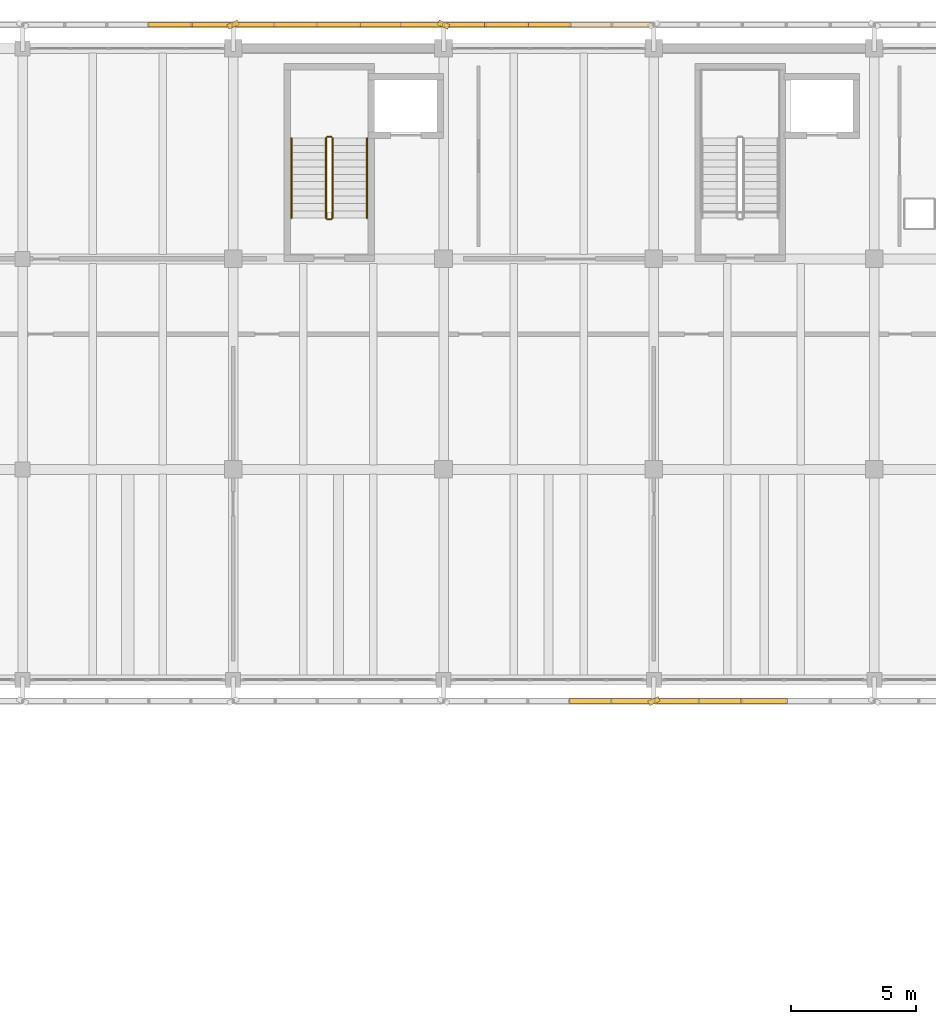
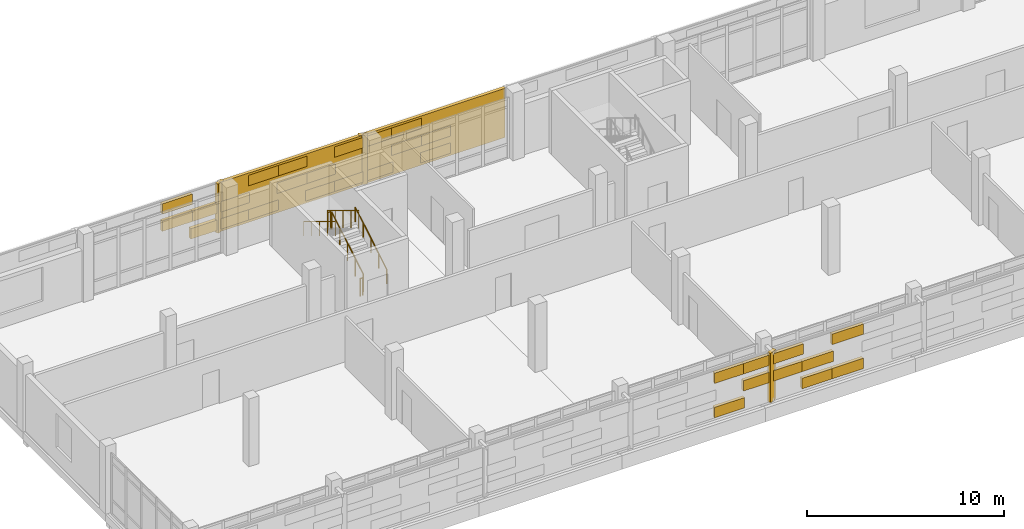
# One storey, part 131 of 137: 33 coverings, 6 railings, 2 shading devices.
"""IFC4 building model written with IfcOpenShell, lengths in metres."""

from ifc_helpers import new_model, si_unit, direction, frame, origin, origin_2d, place, context, subcontext, project, spatial, rectangle, circle, extrude, material, layer, layer_set, type_object, element, save


model = new_model("IFC4")

# Units and contexts
model_context = context("Model", 3, precision=1e-05, world=origin(), true_north=direction((0.0, 1.0)))
body_context = subcontext(model_context, "Body", "Model", "MODEL_VIEW")
ifc_project = project(units=[si_unit("LENGTHUNIT", "METRE"), si_unit("AREAUNIT", "SQUARE_METRE"), si_unit("VOLUMEUNIT", "CUBIC_METRE"), si_unit("PLANEANGLEUNIT", "RADIAN"), si_unit("MASSUNIT", "GRAM", prefix="KILO")], contexts=[model_context])

# Site, building, storey
site_placement = place(None, origin())
site = spatial("IfcSite", under=ifc_project, at=site_placement, CompositionType="ELEMENT")
building_placement = place(site_placement, origin())
building = spatial("IfcBuilding", under=site, at=building_placement, Name="Cinderway Yard Community Centre", CompositionType="ELEMENT")
storey_placement = place(building_placement, frame((0.0, 0.0, 4.800048828125)))
storey = spatial("IfcBuildingStorey", under=building, at=storey_placement, Name="L01", CompositionType="ELEMENT", Elevation=4.800048828125)

# Coverings
ifc_material_1 = material(Name="Brick Masonry", Category="masonry")
ifc_layer = layer(ifc_material_1, 0.18994140625, Name="Brick Masonry")
ifc_layer_set = layer_set([ifc_layer], Name="Brick Masonry")
covering_type = type_object("IfcCoveringType", Name="ENV-COV-BRK-SCREEN", PredefinedType="CLADDING", material=ifc_layer_set)
for number, where, z_axis, x_axis, name in (
    (1, (58.39990234375, 116.14990234375, 0.64990234375), (0.0, 0.0, 1.0), (0.913545457643, 0.406736643076, 0.0), "Deconstructivist folded brick fin 0003"),
    (2, (66.800048828125, 116.14990234375, 0.64990234375), (0.0, 0.0, 1.0), (0.913545457643, -0.406736643076, 0.0), "Deconstructivist folded brick fin 0004"),
):
    element("IfcCovering", number, at=place(storey_placement, frame(where, z_axis=z_axis, x_axis=x_axis)), inside=storey, type_object=covering_type, Name=name, PredefinedType="CLADDING", context=body_context, shape_type="SweptSolid", body=[
        extrude(rectangle(XDim=0.4599609375, YDim=0.199951171875, at=origin_2d()), origin(), (0.0, 0.0, 1.0), 3.050048828125),
    ])
for number, where, z_axis, x_axis, name in (
    (3, (57.56005859375, 116.14990234375, 0.7900390625), (0.0, 0.0, 1.0), (1.0, 0.0, 0.0), "Open-bond perforated brick screen course 00026"),
    (4, (55.8798828125, 116.14990234375, 1.85205078125), (0.0, 0.0, 1.0), (1.0, 0.0, 0.0), "Open-bond perforated brick screen course 00029"),
    (5, (57.56005859375, 116.14990234375, 1.85205078125), (0.0, 0.0, 1.0), (1.0, 0.0, 0.0), "Open-bond perforated brick screen course 00030"),
    (6, (55.8798828125, 116.14990234375, 2.9140625), (0.0, 0.0, 1.0), (1.0, 0.0, 0.0), "Open-bond perforated brick screen course 00033"),
    (7, (59.239990234375, 116.14990234375, 0.7900390625), (0.0, 0.0, 1.0), (1.0, 0.0, 0.0), "Open-bond perforated brick screen course 00034"),
    (8, (60.919921875, 116.14990234375, 0.7900390625), (0.0, 0.0, 1.0), (1.0, 0.0, 0.0), "Open-bond perforated brick screen course 00035"),
    (9, (64.280029296875, 116.14990234375, 0.7900390625), (0.0, 0.0, 1.0), (1.0, 0.0, 0.0), "Open-bond perforated brick screen course 00036"),
    (10, (65.9599609375, 116.14990234375, 0.7900390625), (0.0, 0.0, 1.0), (1.0, 0.0, 0.0), "Open-bond perforated brick screen course 00037"),
    (11, (59.239990234375, 116.14990234375, 1.85205078125), (0.0, 0.0, 1.0), (1.0, 0.0, 0.0), "Open-bond perforated brick screen course 00038"),
    (12, (62.60009765625, 116.14990234375, 1.85205078125), (0.0, 0.0, 1.0), (1.0, 0.0, 0.0), "Open-bond perforated brick screen course 00039"),
    (13, (64.280029296875, 116.14990234375, 1.85205078125), (0.0, 0.0, 1.0), (1.0, 0.0, 0.0), "Open-bond perforated brick screen course 00040"),
    (14, (60.919921875, 116.14990234375, 2.9140625), (0.0, 0.0, 1.0), (1.0, 0.0, 0.0), "Open-bond perforated brick screen course 00041"),
    (15, (62.60009765625, 116.14990234375, 2.9140625), (0.0, 0.0, 1.0), (1.0, 0.0, 0.0), "Open-bond perforated brick screen course 00042"),
    (16, (65.9599609375, 116.14990234375, 2.9140625), (0.0, 0.0, 1.0), (1.0, 0.0, 0.0), "Open-bond perforated brick screen course 00043"),
    (17, (67.639892578125, 116.14990234375, 0.7900390625), (0.0, 0.0, 1.0), (1.0, 0.0, 0.0), "Open-bond perforated brick screen course 00044"),
    (18, (71.0, 116.14990234375, 0.7900390625), (0.0, 0.0, 1.0), (1.0, 0.0, 0.0), "Open-bond perforated brick screen course 00045"),
    (19, (69.320068359375, 116.14990234375, 1.85205078125), (0.0, 0.0, 1.0), (1.0, 0.0, 0.0), "Open-bond perforated brick screen course 00047"),
    (20, (71.0, 116.14990234375, 1.85205078125), (0.0, 0.0, 1.0), (1.0, 0.0, 0.0), "Open-bond perforated brick screen course 00048"),
    (21, (67.639892578125, 116.14990234375, 2.9140625), (0.0, 0.0, 1.0), (1.0, 0.0, 0.0), "Open-bond perforated brick screen course 00050"),
    (22, (69.320068359375, 116.14990234375, 2.9140625), (0.0, 0.0, 1.0), (1.0, 0.0, 0.0), "Open-bond perforated brick screen course 00051"),
):
    element("IfcCovering", number, at=place(storey_placement, frame(where, z_axis=z_axis, x_axis=x_axis)), inside=storey, type_object=covering_type, Name=name, PredefinedType="CLADDING", context=body_context, shape_type="SweptSolid", body=[
        extrude(rectangle(XDim=1.760009765625, YDim=0.18994140625, at=origin_2d()), origin(), (0.0, 0.0, 1.0), 0.64599609375),
    ])
covering_placement = place(storey_placement, frame((75.199951171875, 89.14990234375, 0.64990234375), z_axis=(0.0, 0.0, 1.0), x_axis=(-0.913545457643, -0.406736643076, 0.0)))
element("IfcCovering", 23, at=covering_placement, inside=storey, type_object=covering_type, Name="Deconstructivist folded brick fin 0438", PredefinedType="CLADDING", context=body_context, shape_type="SweptSolid", body=[
    extrude(rectangle(XDim=0.4599609375, YDim=0.199951171875, at=origin_2d()), origin(), (0.0, 0.0, 1.0), 3.050048828125),
])
for number, where, z_axis, x_axis, name in (
    (24, (72.679931640625, 89.14990234375, 0.7900390625), (0.0, 0.0, 1.0), (-1.0, 0.0, 0.0), "Open-bond perforated brick screen course 00479"),
    (25, (74.360107421875, 89.14990234375, 1.85205078125), (0.0, 0.0, 1.0), (-1.0, 0.0, 0.0), "Open-bond perforated brick screen course 00482"),
    (26, (72.679931640625, 89.14990234375, 2.9140625), (0.0, 0.0, 1.0), (-1.0, 0.0, 0.0), "Open-bond perforated brick screen course 00485"),
    (27, (74.360107421875, 89.14990234375, 2.9140625), (0.0, 0.0, 1.0), (-1.0, 0.0, 0.0), "Open-bond perforated brick screen course 00486"),
):
    element("IfcCovering", number, at=place(storey_placement, frame(where, z_axis=z_axis, x_axis=x_axis)), inside=storey, type_object=covering_type, Name=name, PredefinedType="CLADDING", context=body_context, shape_type="SweptSolid", body=[
        extrude(rectangle(XDim=1.760009765625, YDim=0.18994140625, at=origin_2d()), origin(), (0.0, 0.0, 1.0), 0.64599609375),
    ])
for number, where, z_axis, x_axis, name in (
    (28, (77.840087890625, 89.14990234375, 0.7900390625), (0.0, 0.0, 1.0), (-1.0, 0.0, 0.0), "Open-bond perforated brick screen course 00487"),
    (29, (79.60009765625, 89.14990234375, 0.7900390625), (0.0, 0.0, 1.0), (-1.0, 0.0, 0.0), "Open-bond perforated brick screen course 00488"),
    (30, (76.080078125, 89.14990234375, 1.85205078125), (0.0, 0.0, 1.0), (-1.0, 0.0, 0.0), "Open-bond perforated brick screen course 00490"),
    (31, (77.840087890625, 89.14990234375, 1.85205078125), (0.0, 0.0, 1.0), (-1.0, 0.0, 0.0), "Open-bond perforated brick screen course 00491"),
    (32, (76.080078125, 89.14990234375, 2.9140625), (0.0, 0.0, 1.0), (-1.0, 0.0, 0.0), "Open-bond perforated brick screen course 00494"),
    (33, (79.60009765625, 89.14990234375, 2.9140625), (0.0, 0.0, 1.0), (-1.0, 0.0, 0.0), "Open-bond perforated brick screen course 00495"),
):
    element("IfcCovering", number, at=place(storey_placement, frame(where, z_axis=z_axis, x_axis=x_axis)), inside=storey, type_object=covering_type, Name=name, PredefinedType="CLADDING", context=body_context, shape_type="SweptSolid", body=[
        extrude(rectangle(XDim=1.840087890625, YDim=0.18994140625, at=origin_2d()), origin(), (0.0, 0.0, 1.0), 0.64599609375),
    ])

# Shading devices
shading_device_type = type_object("IfcShadingDeviceType", Name="ENV-SHD-BRICKSCREEN-A", PredefinedType="USERDEFINED", material=ifc_material_1)
for number, where, z_axis, x_axis, name in (
    (34, (62.60009765625, 116.14990234375, 0.64990234375), (0.0, 0.0, 1.0), (1.0, 0.0, 0.0), "Street Perforated Brick Screen 0025"),
    (35, (71.0, 116.14990234375, 0.64990234375), (0.0, 0.0, 1.0), (1.0, 0.0, 0.0), "Street Perforated Brick Screen 0033"),
):
    element("IfcShadingDevice", number, at=place(storey_placement, frame(where, z_axis=z_axis, x_axis=x_axis)), inside=storey, type_object=shading_device_type, Name=name, ObjectType="PERFORATED BRICK SCREEN", PredefinedType="USERDEFINED", context=body_context, shape_type="SweptSolid", body=[
        extrude(rectangle(XDim=8.199951171875, YDim=0.18994140625, at=origin_2d()), origin(), (0.0, 0.0, 1.0), 3.050048828125),
    ])

# Railings
ifc_material_2 = material(Name="Painted Galvanised Steel", Category="steel")
railing_type_1 = type_object("IfcRailingType", Name="INT-RAL-GRD112", PredefinedType="GUARDRAIL", material=ifc_material_2)
railing_1_placement = place(storey_placement, frame((62.3701171875, 108.429931640625, 0.175048828125)))
element("IfcRailing", 36, at=railing_1_placement, inside=storey, type_object=railing_type_1, Name="L01 ST-01 stair guard 1", PredefinedType="GUARDRAIL", context=body_context, shape_type="SweptSolid", body=[
    extrude(circle(Radius=0.02392578125, at=origin_2d()), frame((0.0, 0.0, 1.076171875), z_axis=(0.0, 0.856224141417, 0.516604509905), x_axis=(-1.0, 0.0, 0.0)), (0.0, 0.0, 1.0), 3.725830078125),
    extrude(circle(Radius=0.02099609375, at=origin_2d()), origin(), (0.0, 0.0, 1.0), 1.052001953125),
    extrude(circle(Radius=0.02099609375, at=origin_2d()), frame((0.0, 0.797607421875, 0.481201171875)), (0.0, 0.0, 1.0), 1.052001953125),
    extrude(circle(Radius=0.02099609375, at=origin_2d()), frame((0.0, 1.59521484375, 0.96240234375)), (0.0, 0.0, 1.0), 1.052001953125),
    extrude(circle(Radius=0.02099609375, at=origin_2d()), frame((0.0, 2.392578125, 1.443603515625)), (0.0, 0.0, 1.0), 1.052001953125),
    extrude(circle(Radius=0.02099609375, at=origin_2d()), frame((0.0, 3.190185546875, 1.9248046875)), (0.0, 0.0, 1.0), 1.052001953125),
])
railing_2_placement = place(storey_placement, frame((62.320068359375, 111.669921875, 2.099853515625)))
element("IfcRailing", 37, at=railing_2_placement, inside=storey, type_object=railing_type_1, Name="L01 ST-01 stair guard 2", PredefinedType="GUARDRAIL", context=body_context, shape_type="SweptSolid", body=[
    extrude(circle(Radius=0.02392578125, at=origin_2d()), frame((0.0, 0.0, 1.076171875), z_axis=(-1.0, 0.0, 0.0), x_axis=(0.0, -1.0, 0.0)), (0.0, 0.0, 1.0), 0.16015625),
    extrude(circle(Radius=0.02099609375, at=origin_2d()), origin(), (0.0, 0.0, 1.0), 1.052001953125),
    extrude(circle(Radius=0.02099609375, at=origin_2d()), frame((-0.16015625, 0.0, 0.0)), (0.0, 0.0, 1.0), 1.052001953125),
])
railing_3_placement = place(storey_placement, frame((62.110107421875, 111.6201171875, 2.27490234375)))
element("IfcRailing", 38, at=railing_3_placement, inside=storey, type_object=railing_type_1, Name="L01 ST-01 stair guard 3", PredefinedType="GUARDRAIL", context=body_context, shape_type="SweptSolid", body=[
    extrude(circle(Radius=0.02392578125, at=origin_2d()), frame((0.0, 0.0, 1.076171875), z_axis=(0.0, -0.856195157123, 0.516652545643), x_axis=(1.0, 0.0, 0.0)), (0.0, 0.0, 1.0), 3.72607421875),
    extrude(circle(Radius=0.02099609375, at=origin_2d()), origin(), (0.0, 0.0, 1.0), 1.052001953125),
    extrude(circle(Radius=0.02099609375, at=origin_2d()), frame((0.0, -0.797607421875, 0.481201171875)), (0.0, 0.0, 1.0), 1.052001953125),
    extrude(circle(Radius=0.02099609375, at=origin_2d()), frame((0.0, -1.59521484375, 0.96240234375)), (0.0, 0.0, 1.0), 1.052001953125),
    extrude(circle(Radius=0.02099609375, at=origin_2d()), frame((0.0, -2.392578125, 1.44384765625)), (0.0, 0.0, 1.0), 1.052001953125),
    extrude(circle(Radius=0.02099609375, at=origin_2d()), frame((0.0, -3.190185546875, 1.925048828125)), (0.0, 0.0, 1.0), 1.052001953125),
])
railing_4_placement = place(storey_placement, frame((62.320068359375, 108.3798828125, 0.0)))
element("IfcRailing", 39, at=railing_4_placement, inside=storey, type_object=railing_type_1, Name="L01 ST-01 stair guard 4", PredefinedType="GUARDRAIL", context=body_context, shape_type="SweptSolid", body=[
    extrude(circle(Radius=0.02392578125, at=origin_2d()), frame((0.0, 0.0, 1.076171875), z_axis=(-1.0, 0.0, 0.0), x_axis=(0.0, -1.0, 0.0)), (0.0, 0.0, 1.0), 0.16015625),
    extrude(circle(Radius=0.02099609375, at=origin_2d()), origin(), (0.0, 0.0, 1.0), 1.052001953125),
    extrude(circle(Radius=0.02099609375, at=origin_2d()), frame((-0.16015625, 0.0, 0.0)), (0.0, 0.0, 1.0), 1.052001953125),
])
railing_type_2 = type_object("IfcRailingType", Name="INT-RAL-HND090", PredefinedType="HANDRAIL", material=ifc_material_2)
railing_5_placement = place(storey_placement, frame((63.75, 108.429931640625, 0.175048828125)))
element("IfcRailing", 40, at=railing_5_placement, inside=storey, type_object=railing_type_2, Name="L01 ST-01 stair handrail 1", PredefinedType="HANDRAIL", context=body_context, shape_type="SweptSolid", body=[
    extrude(circle(Radius=0.02392578125, at=origin_2d()), frame((0.0, 0.0, 0.8759765625), z_axis=(0.0, 0.856224141417, 0.516604509905), x_axis=(-1.0, 0.0, 0.0)), (0.0, 0.0, 1.0), 3.725830078125),
    extrude(circle(Radius=0.02099609375, at=origin_2d()), origin(), (0.0, 0.0, 1.0), 0.851806640625),
    extrude(circle(Radius=0.02099609375, at=origin_2d()), frame((0.0, 0.797607421875, 0.481201171875)), (0.0, 0.0, 1.0), 0.851806640625),
    extrude(circle(Radius=0.02099609375, at=origin_2d()), frame((0.0, 1.59521484375, 0.96240234375)), (0.0, 0.0, 1.0), 0.851806640625),
    extrude(circle(Radius=0.02099609375, at=origin_2d()), frame((0.0, 2.392578125, 1.443603515625)), (0.0, 0.0, 1.0), 0.851806640625),
    extrude(circle(Radius=0.02099609375, at=origin_2d()), frame((0.0, 3.190185546875, 1.9248046875)), (0.0, 0.0, 1.0), 0.851806640625),
])
railing_6_placement = place(storey_placement, frame((60.72998046875, 111.6201171875, 2.27490234375)))
element("IfcRailing", 41, at=railing_6_placement, inside=storey, type_object=railing_type_2, Name="L01 ST-01 stair handrail 2", PredefinedType="HANDRAIL", context=body_context, shape_type="SweptSolid", body=[
    extrude(circle(Radius=0.02392578125, at=origin_2d()), frame((0.0, 0.0, 0.8759765625), z_axis=(0.0, -0.856195157123, 0.516652545643), x_axis=(1.0, 0.0, 0.0)), (0.0, 0.0, 1.0), 3.72607421875),
    extrude(circle(Radius=0.02099609375, at=origin_2d()), origin(), (0.0, 0.0, 1.0), 0.851806640625),
    extrude(circle(Radius=0.02099609375, at=origin_2d()), frame((0.0, -0.797607421875, 0.481201171875)), (0.0, 0.0, 1.0), 0.851806640625),
    extrude(circle(Radius=0.02099609375, at=origin_2d()), frame((0.0, -1.59521484375, 0.96240234375)), (0.0, 0.0, 1.0), 0.851806640625),
    extrude(circle(Radius=0.02099609375, at=origin_2d()), frame((0.0, -2.392578125, 1.44384765625)), (0.0, 0.0, 1.0), 0.851806640625),
    extrude(circle(Radius=0.02099609375, at=origin_2d()), frame((0.0, -3.190185546875, 1.925048828125)), (0.0, 0.0, 1.0), 0.851806640625),
])

save(model, "model.ifc")
